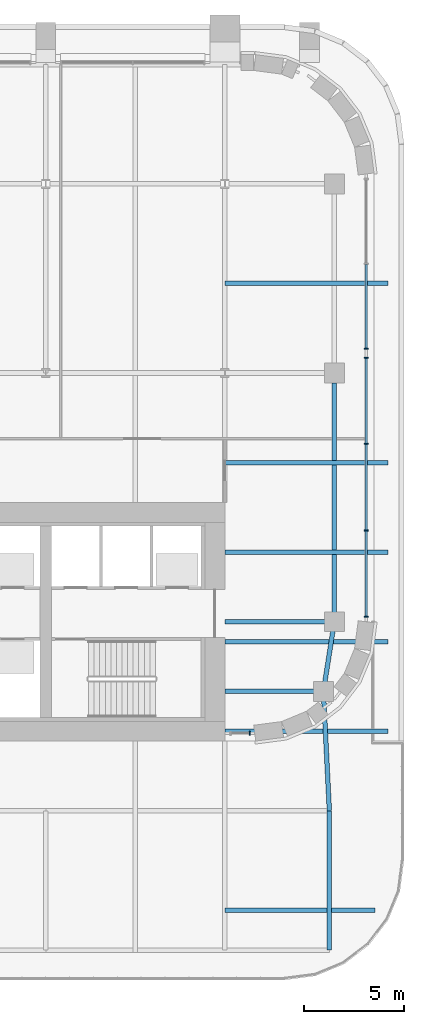
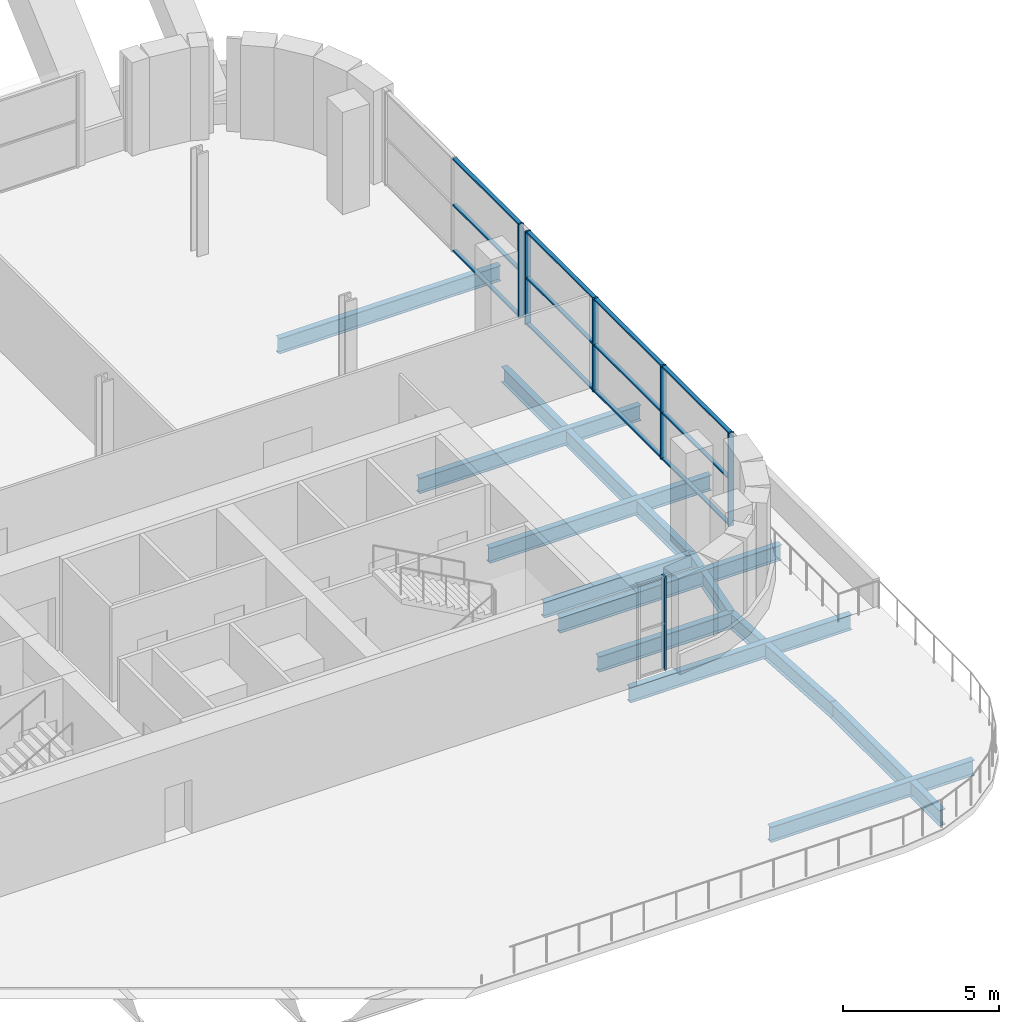
# One storey, part 11 of 26: 18 members, 12 beams, 3 elements without a shape of their own.
"""IFC4 building model written with IfcOpenShell, lengths in metres."""

from ifc_helpers import new_model, si_unit, direction, frame, origin, origin_2d, place, context, subcontext, project, spatial, rectangle, i_section, extrude, material, material_profile, profile_set, type_object, element, aggregate, save


model = new_model("IFC4")

# Units and contexts
model_context = context("Model", 3, precision=1e-05, world=origin(), true_north=direction((0.0, 1.0)))
body_context = subcontext(model_context, "Body", "Model", "MODEL_VIEW")
ifc_project = project(units=[si_unit("LENGTHUNIT", "METRE"), si_unit("AREAUNIT", "SQUARE_METRE"), si_unit("VOLUMEUNIT", "CUBIC_METRE"), si_unit("PLANEANGLEUNIT", "RADIAN"), si_unit("MASSUNIT", "GRAM", prefix="KILO")], contexts=[model_context])

# Site, building, storey
site_placement = place(None, origin())
site = spatial("IfcSite", under=ifc_project, at=site_placement, CompositionType="ELEMENT")
building_placement = place(site_placement, origin())
building = spatial("IfcBuilding", under=site, at=building_placement, Name="Zellij Exchange Tower", CompositionType="ELEMENT")
storey_placement = place(building_placement, frame((0.0, 0.0, 156.5)))
storey = spatial("IfcBuildingStorey", under=building, at=storey_placement, Name="L35", CompositionType="ELEMENT", Elevation=156.5)

# Curtain wall, member
ifc_material_1 = material(Name="Aluminium frame, clear insulating glass", Category="aluminium")
curtain_wall_type = type_object("IfcCurtainWallType", Name="ENV-CW6 Sky-lobby glazing", PredefinedType="NOTDEFINED", material=ifc_material_1)
curtain_wall_1_placement = place(storey_placement, origin())
curtain_wall_1 = element("IfcCurtainWall", 1, at=curtain_wall_1_placement, inside=storey, type_object=curtain_wall_type, Name="cw.L35.00b", PredefinedType="NOTDEFINED")
ifc_material_2 = material(Name="Aluminium", Category="aluminium")
ifc_material_profile_1 = material_profile(ifc_material_2, rectangle(XDim=0.06005859375, YDim=0.199951171875, at=origin_2d()), Name="AL 60x200")
ifc_profile_set_1 = profile_set([ifc_material_profile_1], Name="Aluminium")
member_type_1 = type_object("IfcMemberType", Name="ENV-CW6M Mullion 60x200", PredefinedType="MULLION", material=ifc_profile_set_1)
member_1_placement = place(storey_placement, frame((28.243896484375, -13.60009765625, 0.0), z_axis=(0.0, 0.0, 1.0), x_axis=(1.0, 0.0, 0.0)))
member_1 = element("IfcMember", 2, at=member_1_placement, type_object=member_type_1, Name="CW6 mullion 2", PredefinedType="MULLION", context=body_context, shape_type="SweptSolid", body=[
    extrude(rectangle(XDim=0.06005859375, YDim=0.199951171875, at=origin_2d()), origin(), (0.0, 0.0, 1.0), 3.64990234375),
])
aggregate(curtain_wall_1, [member_1])

# Curtain wall, members
curtain_wall_2_placement = place(storey_placement, origin())
curtain_wall_2 = element("IfcCurtainWall", 3, at=curtain_wall_2_placement, inside=storey, type_object=curtain_wall_type, Name="cw.L35.07a", PredefinedType="NOTDEFINED")
member_2_placement = place(storey_placement, frame((34.10009765625, -7.743896484375, 0.0), z_axis=(0.0, 0.0, 1.0), x_axis=(0.0, 1.0, 0.0)))
member_2 = element("IfcMember", 4, at=member_2_placement, type_object=member_type_1, Name="CW6 mullion 1", PredefinedType="MULLION", context=body_context, shape_type="SweptSolid", body=[
    extrude(rectangle(XDim=0.06005859375, YDim=0.199951171875, at=origin_2d()), origin(), (0.0, 0.0, 1.0), 3.64990234375),
])
member_3_placement = place(storey_placement, frame((34.10009765625, -3.417724609375, 0.0), z_axis=(0.0, 0.0, 1.0), x_axis=(0.0, 1.0, 0.0)))
member_3 = element("IfcMember", 5, at=member_3_placement, type_object=member_type_1, Name="CW6 mullion 2", PredefinedType="MULLION", context=body_context, shape_type="SweptSolid", body=[
    extrude(rectangle(XDim=0.06005859375, YDim=0.199951171875, at=origin_2d()), origin(), (0.0, 0.0, 1.0), 3.64990234375),
])
member_4_placement = place(storey_placement, frame((34.10009765625, 0.9384765625, 0.0), z_axis=(0.0, 0.0, 1.0), x_axis=(0.0, 1.0, 0.0)))
member_4 = element("IfcMember", 6, at=member_4_placement, type_object=member_type_1, Name="CW6 mullion 3", PredefinedType="MULLION", context=body_context, shape_type="SweptSolid", body=[
    extrude(rectangle(XDim=0.06005859375, YDim=0.199951171875, at=origin_2d()), origin(), (0.0, 0.0, 1.0), 3.64990234375),
])
member_5_placement = place(storey_placement, frame((34.10009765625, 5.2646484375, 0.0), z_axis=(0.0, 0.0, 1.0), x_axis=(0.0, 1.0, 0.0)))
member_5 = element("IfcMember", 7, at=member_5_placement, type_object=member_type_1, Name="CW6 mullion 4", PredefinedType="MULLION", context=body_context, shape_type="SweptSolid", body=[
    extrude(rectangle(XDim=0.06005859375, YDim=0.199951171875, at=origin_2d()), origin(), (0.0, 0.0, 1.0), 3.64990234375),
])

# Curtain wall, member
curtain_wall_3_placement = place(storey_placement, origin())
curtain_wall_3 = element("IfcCurtainWall", 8, at=curtain_wall_3_placement, inside=storey, type_object=curtain_wall_type, Name="cw.L35.07b", PredefinedType="NOTDEFINED")
member_6_placement = place(storey_placement, frame((34.10009765625, 5.724609375, 0.0), z_axis=(0.0, 0.0, 1.0), x_axis=(0.0, 1.0, 0.0)))
member_6 = element("IfcMember", 9, at=member_6_placement, type_object=member_type_1, Name="CW6 mullion 1", PredefinedType="MULLION", context=body_context, shape_type="SweptSolid", body=[
    extrude(rectangle(XDim=0.06005859375, YDim=0.199951171875, at=origin_2d()), origin(), (0.0, 0.0, 1.0), 3.64990234375),
])

# Member
ifc_material_profile_2 = material_profile(ifc_material_2, rectangle(XDim=0.139892578125, YDim=0.06005859375, at=origin_2d()), Name="AL 140x60")
ifc_profile_set_2 = profile_set([ifc_material_profile_2], Name="Aluminium")
member_type_2 = type_object("IfcMemberType", Name="ENV-CW6T Transom 140x60", PredefinedType="USERDEFINED", material=ifc_profile_set_2)
member_7_placement = place(storey_placement, frame((34.10009765625, -7.7138671875, 0.030029296875), z_axis=(0.0, 1.0, 0.0), x_axis=(-1.0, 0.0, 0.0)))
member_7 = element("IfcMember", 10, at=member_7_placement, type_object=member_type_2, Name="CW6 transom 1.1", ObjectType="TRANSOM", PredefinedType="USERDEFINED", context=body_context, shape_type="SweptSolid", body=[
    extrude(rectangle(XDim=0.139892578125, YDim=0.06005859375, at=origin_2d()), origin(), (0.0, 0.0, 1.0), 4.26611328125),
])

member_8_placement = place(storey_placement, frame((34.10009765625, -7.7138671875, 1.824951171875), z_axis=(0.0, 1.0, 0.0), x_axis=(-1.0, 0.0, 0.0)))
member_8 = element("IfcMember", 11, at=member_8_placement, type_object=member_type_2, Name="CW6 transom 1.2", ObjectType="TRANSOM", PredefinedType="USERDEFINED", context=body_context, shape_type="SweptSolid", body=[
    extrude(rectangle(XDim=0.139892578125, YDim=0.06005859375, at=origin_2d()), origin(), (0.0, 0.0, 1.0), 4.26611328125),
])

member_9_placement = place(storey_placement, frame((34.10009765625, -7.7138671875, 3.6201171875), z_axis=(0.0, 1.0, 0.0), x_axis=(-1.0, 0.0, 0.0)))
member_9 = element("IfcMember", 12, at=member_9_placement, type_object=member_type_2, Name="CW6 transom 1.3", ObjectType="TRANSOM", PredefinedType="USERDEFINED", context=body_context, shape_type="SweptSolid", body=[
    extrude(rectangle(XDim=0.139892578125, YDim=0.06005859375, at=origin_2d()), origin(), (0.0, 0.0, 1.0), 4.26611328125),
])

member_10_placement = place(storey_placement, frame((34.10009765625, -3.3876953125, 0.030029296875), z_axis=(0.0, 1.0, 0.0), x_axis=(-1.0, 0.0, 0.0)))
member_10 = element("IfcMember", 13, at=member_10_placement, type_object=member_type_2, Name="CW6 transom 2.1", ObjectType="TRANSOM", PredefinedType="USERDEFINED", context=body_context, shape_type="SweptSolid", body=[
    extrude(rectangle(XDim=0.139892578125, YDim=0.06005859375, at=origin_2d()), origin(), (0.0, 0.0, 1.0), 4.296142578125),
])

member_11_placement = place(storey_placement, frame((34.10009765625, -3.3876953125, 1.824951171875), z_axis=(0.0, 1.0, 0.0), x_axis=(-1.0, 0.0, 0.0)))
member_11 = element("IfcMember", 14, at=member_11_placement, type_object=member_type_2, Name="CW6 transom 2.2", ObjectType="TRANSOM", PredefinedType="USERDEFINED", context=body_context, shape_type="SweptSolid", body=[
    extrude(rectangle(XDim=0.139892578125, YDim=0.06005859375, at=origin_2d()), origin(), (0.0, 0.0, 1.0), 4.296142578125),
])

member_12_placement = place(storey_placement, frame((34.10009765625, -3.3876953125, 3.6201171875), z_axis=(0.0, 1.0, 0.0), x_axis=(-1.0, 0.0, 0.0)))
member_12 = element("IfcMember", 15, at=member_12_placement, type_object=member_type_2, Name="CW6 transom 2.3", ObjectType="TRANSOM", PredefinedType="USERDEFINED", context=body_context, shape_type="SweptSolid", body=[
    extrude(rectangle(XDim=0.139892578125, YDim=0.06005859375, at=origin_2d()), origin(), (0.0, 0.0, 1.0), 4.296142578125),
])

member_13_placement = place(storey_placement, frame((34.10009765625, 0.968505859375, 0.030029296875), z_axis=(0.0, 1.0, 0.0), x_axis=(-1.0, 0.0, 0.0)))
member_13 = element("IfcMember", 16, at=member_13_placement, type_object=member_type_2, Name="CW6 transom 3.1", ObjectType="TRANSOM", PredefinedType="USERDEFINED", context=body_context, shape_type="SweptSolid", body=[
    extrude(rectangle(XDim=0.139892578125, YDim=0.06005859375, at=origin_2d()), origin(), (0.0, 0.0, 1.0), 4.26611328125),
])

member_14_placement = place(storey_placement, frame((34.10009765625, 0.968505859375, 1.824951171875), z_axis=(0.0, 1.0, 0.0), x_axis=(-1.0, 0.0, 0.0)))
member_14 = element("IfcMember", 17, at=member_14_placement, type_object=member_type_2, Name="CW6 transom 3.2", ObjectType="TRANSOM", PredefinedType="USERDEFINED", context=body_context, shape_type="SweptSolid", body=[
    extrude(rectangle(XDim=0.139892578125, YDim=0.06005859375, at=origin_2d()), origin(), (0.0, 0.0, 1.0), 4.26611328125),
])

member_15_placement = place(storey_placement, frame((34.10009765625, 0.968505859375, 3.6201171875), z_axis=(0.0, 1.0, 0.0), x_axis=(-1.0, 0.0, 0.0)))
member_15 = element("IfcMember", 18, at=member_15_placement, type_object=member_type_2, Name="CW6 transom 3.3", ObjectType="TRANSOM", PredefinedType="USERDEFINED", context=body_context, shape_type="SweptSolid", body=[
    extrude(rectangle(XDim=0.139892578125, YDim=0.06005859375, at=origin_2d()), origin(), (0.0, 0.0, 1.0), 4.26611328125),
])

aggregate(curtain_wall_2, [member_2, member_3, member_4, member_5, member_7, member_8, member_9, member_10, member_11, member_12, member_13, member_14, member_15])

member_16_placement = place(storey_placement, frame((34.10009765625, 5.754638671875, 0.030029296875), z_axis=(0.0, 1.0, 0.0), x_axis=(-1.0, 0.0, 0.0)))
member_16 = element("IfcMember", 19, at=member_16_placement, type_object=member_type_2, Name="CW6 transom 1.1", ObjectType="TRANSOM", PredefinedType="USERDEFINED", context=body_context, shape_type="SweptSolid", body=[
    extrude(rectangle(XDim=0.139892578125, YDim=0.06005859375, at=origin_2d()), origin(), (0.0, 0.0, 1.0), 4.19970703125),
])

member_17_placement = place(storey_placement, frame((34.10009765625, 5.754638671875, 1.824951171875), z_axis=(0.0, 1.0, 0.0), x_axis=(-1.0, 0.0, 0.0)))
member_17 = element("IfcMember", 20, at=member_17_placement, type_object=member_type_2, Name="CW6 transom 1.2", ObjectType="TRANSOM", PredefinedType="USERDEFINED", context=body_context, shape_type="SweptSolid", body=[
    extrude(rectangle(XDim=0.139892578125, YDim=0.06005859375, at=origin_2d()), origin(), (0.0, 0.0, 1.0), 4.19970703125),
])

member_18_placement = place(storey_placement, frame((34.10009765625, 5.754638671875, 3.6201171875), z_axis=(0.0, 1.0, 0.0), x_axis=(-1.0, 0.0, 0.0)))
member_18 = element("IfcMember", 21, at=member_18_placement, type_object=member_type_2, Name="CW6 transom 1.3", ObjectType="TRANSOM", PredefinedType="USERDEFINED", context=body_context, shape_type="SweptSolid", body=[
    extrude(rectangle(XDim=0.139892578125, YDim=0.06005859375, at=origin_2d()), origin(), (0.0, 0.0, 1.0), 4.19970703125),
])

aggregate(curtain_wall_3, [member_6, member_16, member_17, member_18])

# Beams
ifc_material_3 = material(Name="Structural steel ASTM A992 Gr 50", Category="steel")
ifc_material_profile_3 = material_profile(ifc_material_3, i_section(OverallWidth=0.227783203125, OverallDepth=0.60205078125, WebThickness=0.010498046875, FlangeThickness=0.014892578125, at=origin_2d()), Name="W24x68")
ifc_profile_set_3 = profile_set([ifc_material_profile_3], Name="Structural steel ASTM A992 Gr 50")
beam_type_1 = type_object("IfcBeamType", Name="STR-BEAM W24x68", PredefinedType="BEAM", material=ifc_profile_set_3)
beam_1_placement = place(storey_placement, frame((27.0, -22.5, -0.60107421875), z_axis=(1.0, 0.0, 0.0), x_axis=(0.0, 1.0, 0.0)))
element("IfcBeam", 22, at=beam_1_placement, inside=storey, type_object=beam_type_1, Name="B5", PredefinedType="BEAM", context=body_context, shape_type="SweptSolid", body=[
    extrude(i_section(OverallWidth=0.227783203125, OverallDepth=0.60205078125, WebThickness=0.010498046875, FlangeThickness=0.014892578125, at=origin_2d()), origin(), (0.0, 0.0, 1.0), 7.537109375),
])
for number, where, z_axis, x_axis, name in (
    (23, (27.0, -13.5, -0.60107421875), (1.0, 0.0, 0.0), (0.0, 1.0, 0.0), "B5"),
    (24, (27.0, -9.0, -0.60107421875), (1.0, 0.0, 0.0), (0.0, 1.0, 0.0), "B5"),
    (25, (27.0, -4.5, -0.60107421875), (1.0, 0.0, 0.0), (0.0, 1.0, 0.0), "B5"),
    (26, (27.0, 0.0, -0.60107421875), (1.0, 0.0, 0.0), (0.0, 1.0, 0.0), "B5"),
    (27, (27.0, 9.0, -0.60107421875), (1.0, 0.0, 0.0), (0.0, 1.0, 0.0), "B5"),
):
    element("IfcBeam", number, at=place(storey_placement, frame(where, z_axis=z_axis, x_axis=x_axis)), inside=storey, type_object=beam_type_1, Name=name, PredefinedType="BEAM", context=body_context, shape_type="SweptSolid", body=[
        extrude(i_section(OverallWidth=0.227783203125, OverallDepth=0.60205078125, WebThickness=0.010498046875, FlangeThickness=0.014892578125, at=origin_2d()), origin(), (0.0, 0.0, 1.0), 8.199951171875),
    ])
ifc_material_profile_4 = material_profile(ifc_material_3, i_section(OverallWidth=0.22900390625, OverallDepth=0.612060546875, WebThickness=0.011962890625, FlangeThickness=0.01953125, at=origin_2d()), Name="W24x84")
ifc_profile_set_4 = profile_set([ifc_material_profile_4], Name="Structural steel ASTM A992 Gr 50")
beam_type_2 = type_object("IfcBeamType", Name="STR-EDGE GIRDER W24x84", PredefinedType="BEAM", material=ifc_profile_set_4)
beam_2_placement = place(storey_placement, frame((32.25, -24.5, -0.606201171875), z_axis=(0.0, 1.0, 0.0), x_axis=(-1.0, 0.0, 0.0)))
element("IfcBeam", 28, at=beam_2_placement, inside=storey, type_object=beam_type_2, Name="EB6", PredefinedType="BEAM", context=body_context, shape_type="SweptSolid", body=[
    extrude(i_section(OverallWidth=0.22900390625, OverallDepth=0.612060546875, WebThickness=0.011962890625, FlangeThickness=0.01953125, at=origin_2d()), origin(), (0.0, 0.0, 1.0), 7.0),
])
beam_3_placement = place(storey_placement, frame((32.25, -17.5, -0.606201171875), z_axis=(-0.049945724537, 0.998751933465, 0.0), x_axis=(-0.998751933465, -0.049945724537, 0.0)))
element("IfcBeam", 29, at=beam_3_placement, inside=storey, type_object=beam_type_2, Name="EB6", PredefinedType="BEAM", context=body_context, shape_type="SweptSolid", body=[
    extrude(i_section(OverallWidth=0.22900390625, OverallDepth=0.612060546875, WebThickness=0.011962890625, FlangeThickness=0.01953125, at=origin_2d()), origin(), (0.0, 0.0, 1.0), 6.007568359375),
])
beam_4_placement = place(storey_placement, frame((31.949951171875, -11.5, -0.606201171875), z_axis=(0.155251283593, 0.987875011802, 0.0), x_axis=(-0.987875011802, 0.155251283593, 0.0)))
element("IfcBeam", 30, at=beam_4_placement, inside=storey, type_object=beam_type_2, Name="EB6", PredefinedType="BEAM", context=body_context, shape_type="SweptSolid", body=[
    extrude(i_section(OverallWidth=0.22900390625, OverallDepth=0.612060546875, WebThickness=0.011962890625, FlangeThickness=0.01953125, at=origin_2d()), origin(), (0.0, 0.0, 1.0), 3.54296875),
])
beam_5_placement = place(storey_placement, frame((32.5, -8.0, -0.606201171875), z_axis=(0.0, 1.0, 0.0), x_axis=(-1.0, 0.0, 0.0)))
element("IfcBeam", 31, at=beam_5_placement, inside=storey, type_object=beam_type_2, Name="EB6", PredefinedType="BEAM", context=body_context, shape_type="SweptSolid", body=[
    extrude(i_section(OverallWidth=0.22900390625, OverallDepth=0.612060546875, WebThickness=0.011962890625, FlangeThickness=0.01953125, at=origin_2d()), origin(), (0.0, 0.0, 1.0), 12.0),
])
ifc_material_profile_5 = material_profile(ifc_material_3, i_section(OverallWidth=0.22900390625, OverallDepth=0.612060546875, WebThickness=0.011962890625, FlangeThickness=0.01953125, at=origin_2d()), Name="W24x84")
ifc_profile_set_5 = profile_set([ifc_material_profile_5], Name="Structural steel ASTM A992 Gr 50")
beam_type_3 = type_object("IfcBeamType", Name="STR-GIRDER W24x84", PredefinedType="BEAM", material=ifc_profile_set_5)
beam_6_placement = place(storey_placement, frame((27.0, -11.5, -0.606201171875), z_axis=(1.0, 0.0, 0.0), x_axis=(0.0, 1.0, 0.0)))
element("IfcBeam", 32, at=beam_6_placement, inside=storey, type_object=beam_type_3, Name="G4", PredefinedType="BEAM", context=body_context, shape_type="SweptSolid", body=[
    extrude(i_section(OverallWidth=0.22900390625, OverallDepth=0.612060546875, WebThickness=0.011962890625, FlangeThickness=0.01953125, at=origin_2d()), origin(), (0.0, 0.0, 1.0), 4.949951171875),
])
beam_7_placement = place(storey_placement, frame((27.0, -8.0, -0.606201171875), z_axis=(1.0, 0.0, 0.0), x_axis=(0.0, 1.0, 0.0)))
element("IfcBeam", 33, at=beam_7_placement, inside=storey, type_object=beam_type_3, Name="G4", PredefinedType="BEAM", context=body_context, shape_type="SweptSolid", body=[
    extrude(i_section(OverallWidth=0.22900390625, OverallDepth=0.612060546875, WebThickness=0.011962890625, FlangeThickness=0.01953125, at=origin_2d()), origin(), (0.0, 0.0, 1.0), 5.5),
])

save(model, "model.ifc")
